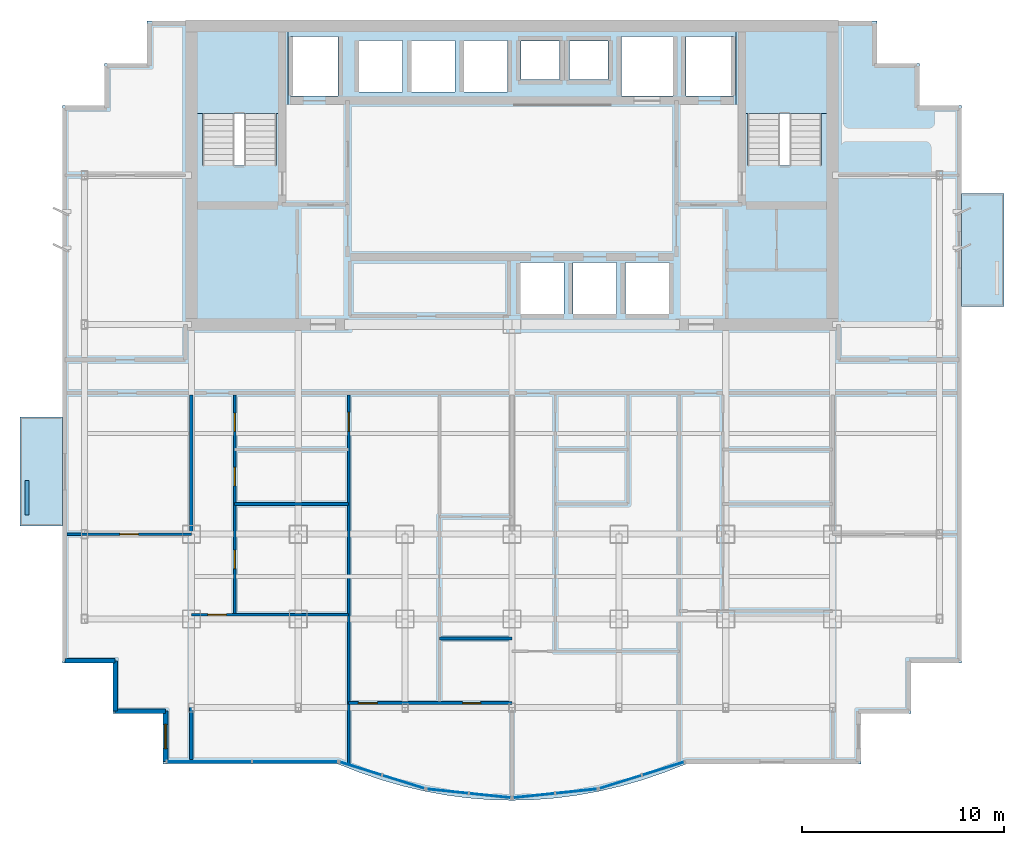
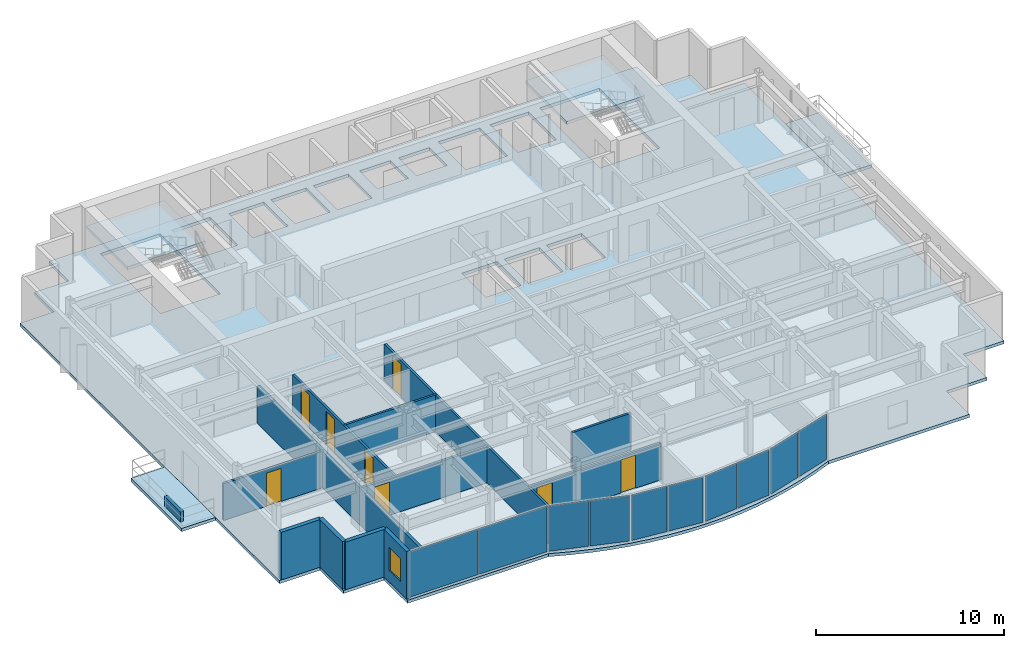
# One storey, part 5 of 11: 13 walls, 10 plates, 8 doors, 5 slabs, 1 window, 9 openings, 7 elements without a shape of their own.
"""IFC4 building model written with IfcOpenShell, lengths in metres."""

import ifcopenshell
import ifcopenshell.guid

model = None  # the IFC model being written
_history = None  # IfcOwnerHistory: only IFC2X3 demands one
_inside = {}  # id of a spatial element -> (the spatial element, [elements in it])
_under = {}  # id of a project, library or spatial element -> (it, [spatial elements below it])
_declared = {}  # id of a project -> (the project, [libraries it declares])
_typed = {}  # id of a type object -> (the type object, [elements of that type])
_made_of = {}  # id of a material, layer set ... -> (it, [elements and type objects made of it])


def new_model(schema):
    """Start an empty IFC model of exactly this schema.

    Asked for "IFC4X3", IfcOpenShell would pick the latest addendum, in which some entities
    have other attributes; the version numbers below select the first issue.
    IFC2X3 requires an IfcOwnerHistory on every rooted entity: one is made here for all.
    """
    global model, _history
    if schema == "IFC4X3":
        model = ifcopenshell.file(schema_version=(4, 3, 0, 0))
    else:
        model = ifcopenshell.file(schema=schema)
    _inside.clear()
    _under.clear()
    _declared.clear()
    _typed.clear()
    _made_of.clear()
    _history = None
    if model.schema == "IFC2X3":
        org = make("IfcOrganization", Name="unknown")
        user = make(
            "IfcPersonAndOrganization",
            ThePerson=make("IfcPerson", FamilyName="unknown"),
            TheOrganization=org,
        )
        app = make(
            "IfcApplication",
            ApplicationDeveloper=org,
            Version="unknown",
            ApplicationFullName="unknown",
            ApplicationIdentifier="unknown",
        )
        _history = make(
            "IfcOwnerHistory",
            OwningUser=user,
            OwningApplication=app,
            ChangeAction="ADDED",
            CreationDate=0,
        )
    return model


def make(cls, **values):
    """One entity of the class cls with the attributes given. An attribute that is None is left unset."""
    return model.create_entity(
        cls, **{name: value for name, value in values.items() if value is not None}
    )


def rooted(cls, **values):
    """An entity with a GlobalId (a new one), such as an element, a storey or a relation."""
    return make(cls, GlobalId=ifcopenshell.guid.new(), OwnerHistory=_history, **values)


def si_unit(unit_type, name, prefix=None):
    """IfcSIUnit, for example si_unit("LENGTHUNIT", "METRE", prefix="MILLI")."""
    return make("IfcSIUnit", UnitType=unit_type, Prefix=prefix, Name=name)


def assignment(units):
    """IfcUnitAssignment: the units of a project."""
    return None if units is None else make("IfcUnitAssignment", Units=units)


def point(xyz):
    """IfcCartesianPoint."""
    return None if xyz is None else make("IfcCartesianPoint", Coordinates=xyz)


def direction(xyz):
    """IfcDirection."""
    return None if xyz is None else make("IfcDirection", DirectionRatios=xyz)


def frame(location, z_axis=None, x_axis=None):
    """IfcAxis2Placement3D, a coordinate frame: its origin and axes. An axis left out is left unset."""
    return make(
        "IfcAxis2Placement3D",
        Location=point(location),
        Axis=direction(z_axis),
        RefDirection=direction(x_axis),
    )


def frame_2d(location, x_axis=None):
    """IfcAxis2Placement2D, a coordinate frame in the plane: its origin and x axis."""
    return make(
        "IfcAxis2Placement2D", Location=point(location), RefDirection=direction(x_axis)
    )


def origin():
    """The frame at (0, 0, 0) with its axes left unset."""
    return frame((0.0, 0.0, 0.0))


def origin_2d():
    """The frame at (0, 0) in the plane with its x axis left unset."""
    return frame_2d((0.0, 0.0))


def place(relative_to, where):
    """IfcLocalPlacement: puts the frame where relative to a parent placement (None: the world)."""
    return make(
        "IfcLocalPlacement", PlacementRelTo=relative_to, RelativePlacement=where
    )


def context(
    kind, dimensions, precision=None, world=None, true_north=None, identifier=None
):
    """IfcGeometricRepresentationContext, for example the 3D "Model" context."""
    return make(
        "IfcGeometricRepresentationContext",
        ContextIdentifier=identifier,
        ContextType=kind,
        CoordinateSpaceDimension=dimensions,
        Precision=precision,
        WorldCoordinateSystem=world,
        TrueNorth=true_north,
    )


def subcontext(parent, identifier, kind, view, scale=None):
    """IfcGeometricRepresentationSubContext, for example "Body" below "Model"."""
    return make(
        "IfcGeometricRepresentationSubContext",
        ContextIdentifier=identifier,
        ContextType=kind,
        ParentContext=parent,
        TargetScale=scale,
        TargetView=view,
    )


def project(units=None, contexts=None):
    """IfcProject with its units and contexts."""
    return rooted(
        "IfcProject",
        Name="project",
        RepresentationContexts=contexts,
        UnitsInContext=assignment(units),
    )


def spatial(cls, under=None, at=None, **own):
    """A site, building, storey or space (cls), placed at a placement, below another one or the project."""
    s = rooted(cls, ObjectPlacement=at, **own)
    if under is not None:
        _under.setdefault(under.id(), (under, []))[1].append(s)
    return s


def polyline(points):
    """IfcPolyline through the points."""
    return make("IfcPolyline", Points=[point(p) for p in points])


def profile(cls, at=None, kind="AREA", **sizes):
    """A parametric profile (cls). Its sizes go by their IFC names, for example OverallWidth=200.0."""
    return make(cls, ProfileType=kind, Position=at, **sizes)


def rectangle(**sizes):
    """IfcRectangleProfileDef."""
    return profile("IfcRectangleProfileDef", **sizes)


def outline(outer, holes=None, kind="AREA"):
    """IfcArbitraryClosedProfileDef: a profile drawn as a closed curve; with holes, ...WithVoids."""
    if holes is None:
        return make("IfcArbitraryClosedProfileDef", ProfileType=kind, OuterCurve=outer)
    return make(
        "IfcArbitraryProfileDefWithVoids",
        ProfileType=kind,
        OuterCurve=outer,
        InnerCurves=holes,
    )


def extrude(swept, where, along, depth):
    """IfcExtrudedAreaSolid: the profile swept, set in the frame where, extruded along a direction by depth."""
    return make(
        "IfcExtrudedAreaSolid",
        SweptArea=swept,
        Position=where,
        ExtrudedDirection=direction(along),
        Depth=depth,
    )


def shape(context_of_items, identifier, shape_type, items):
    """IfcShapeRepresentation: the items that make up one representation, for example the "Body"."""
    return make(
        "IfcShapeRepresentation",
        ContextOfItems=context_of_items,
        RepresentationIdentifier=identifier,
        RepresentationType=shape_type,
        Items=items,
    )


def source(mapping_origin, context_of_items, identifier, shape_type, items):
    """IfcRepresentationMap: a shape defined once, which mapped items show again and again."""
    return make(
        "IfcRepresentationMap",
        MappingOrigin=mapping_origin,
        MappedRepresentation=shape(context_of_items, identifier, shape_type, items),
    )


def transform(
    local_origin,
    x_axis=None,
    y_axis=None,
    z_axis=None,
    scale=None,
    scale2=None,
    scale3=None,
    uniform=True,
):
    """IfcCartesianTransformationOperator3D, or its non-uniform kind. x_axis, y_axis, z_axis: its Axis1, 2, 3."""
    if uniform:
        return make(
            "IfcCartesianTransformationOperator3D",
            Axis1=direction(x_axis),
            Axis2=direction(y_axis),
            LocalOrigin=point(local_origin),
            Scale=scale,
            Axis3=direction(z_axis),
        )
    return make(
        "IfcCartesianTransformationOperator3DnonUniform",
        Axis1=direction(x_axis),
        Axis2=direction(y_axis),
        LocalOrigin=point(local_origin),
        Scale=scale,
        Axis3=direction(z_axis),
        Scale2=scale2,
        Scale3=scale3,
    )


def mapped(mapping_source, mapping_target):
    """IfcMappedItem: shows the shape of a source again, moved by a transform."""
    return make(
        "IfcMappedItem", MappingSource=mapping_source, MappingTarget=mapping_target
    )


def material(Name=None, Category=None):
    """IfcMaterial."""
    return make("IfcMaterial", Name=Name, Category=Category)


def layer(
    of_material, thickness, ventilated=None, Name=None, Category=None, Priority=None
):
    """IfcMaterialLayer: one layer of a wall or slab, of a material (None: an air gap)."""
    return make(
        "IfcMaterialLayer",
        Material=of_material,
        LayerThickness=thickness,
        IsVentilated=ventilated,
        Name=Name,
        Category=Category,
        Priority=Priority,
    )


def layer_set(layers, Name=None):
    """IfcMaterialLayerSet."""
    return make("IfcMaterialLayerSet", MaterialLayers=layers, LayerSetName=Name)


def made_of(thing, what):
    """Note that an element or type object is made of a material, layer set ...; save() writes the relation."""
    if what is not None:
        _made_of.setdefault(what.id(), (what, []))[1].append(thing)
    return thing


def type_object(cls, material=None, **own):
    """A type object (cls), such as IfcWallType, which elements share."""
    return made_of(rooted(cls, **own), material)


def element(
    cls,
    number,
    at=None,
    inside=None,
    cuts=None,
    type_object=None,
    material=None,
    context=None,
    identifier="Body",
    shape_type=None,
    held_by="IfcProductDefinitionShape",
    body=None,
    shapes=None,
    **own,
):
    """One element of the class cls, such as IfcWall. Its Tag is "e" and its number.

    at: its placement. inside: the storey or other place that contains it. cuts: it is an
    opening in that element (IfcRelVoidsElement). A single representation is given by context,
    identifier, shape_type and body (its items); several are given by shapes. held_by: the class
    of the entity that holds the representations. save() writes the other relations.
    """
    e = rooted(cls, Tag="e%d" % number, ObjectPlacement=at, **own)
    if body is not None:
        shapes = [shape(context, identifier, shape_type, body)]
    if shapes is not None:
        e.Representation = make(held_by, Representations=shapes)
    if inside is not None:
        _inside.setdefault(inside.id(), (inside, []))[1].append(e)
    if cuts is not None:
        rooted(
            "IfcRelVoidsElement", RelatingBuildingElement=cuts, RelatedOpeningElement=e
        )
    if type_object is not None:
        _typed.setdefault(type_object.id(), (type_object, []))[1].append(e)
    return made_of(e, material)


def fill(opening, filler):
    """IfcRelFillsElement: the door or window that sits in an opening."""
    return rooted(
        "IfcRelFillsElement",
        RelatingOpeningElement=opening,
        RelatedBuildingElement=filler,
    )


def aggregate(whole, parts):
    """IfcRelAggregates: a whole, such as a stair, and the parts it consists of."""
    return rooted("IfcRelAggregates", RelatingObject=whole, RelatedObjects=parts)


def save(model, path):
    """Write the relations noted so far, then the file.

    IfcRelAggregates (storeys below a building ...), IfcRelContainedInSpatialStructure (elements
    in a storey), IfcRelDefinesByType, IfcRelAssociatesMaterial and IfcRelDeclares: one each for
    every whole, place, type object, material and project.
    """
    for whole, parts in _under.values():
        aggregate(whole, parts)
    for where, things in _inside.values():
        rooted(
            "IfcRelContainedInSpatialStructure",
            RelatedElements=things,
            RelatingStructure=where,
        )
    for kind, things in _typed.values():
        rooted("IfcRelDefinesByType", RelatedObjects=things, RelatingType=kind)
    for what, things in _made_of.values():
        rooted("IfcRelAssociatesMaterial", RelatedObjects=things, RelatingMaterial=what)
    for by, libraries in _declared.values():
        rooted("IfcRelDeclares", RelatingContext=by, RelatedDefinitions=libraries)
    model.write(path)


model = new_model("IFC4")

# Units and contexts
model_context = context("Model", 3, precision=1e-05, world=origin(), true_north=direction((0.0, 1.0)))
body_context = subcontext(model_context, "Body", "Model", "MODEL_VIEW")
ifc_project = project(units=[si_unit("LENGTHUNIT", "METRE"), si_unit("AREAUNIT", "SQUARE_METRE"), si_unit("VOLUMEUNIT", "CUBIC_METRE"), si_unit("PLANEANGLEUNIT", "RADIAN"), si_unit("MASSUNIT", "GRAM", prefix="KILO")], contexts=[model_context])

# Site, building, storey
site_placement = place(None, origin())
site = spatial("IfcSite", under=ifc_project, at=site_placement, CompositionType="ELEMENT")
building_placement = place(site_placement, origin())
building = spatial("IfcBuilding", under=site, at=building_placement, Name="Qianlan Lanfeng Residences", CompositionType="ELEMENT")
storey_placement = place(building_placement, frame((0.0, 0.0, 152.39990234375)))
storey = spatial("IfcBuildingStorey", under=building, at=storey_placement, Name="L41", CompositionType="ELEMENT", Elevation=152.39990234375)

# Slabs
ifc_material_1 = material(Name="Concrete C42", Category="concrete")
ifc_layer_1 = layer(ifc_material_1, 0.199951171875)
ifc_layer_set_1 = layer_set([ifc_layer_1], Name="Concrete C42")
slab_type_1 = type_object("IfcSlabType", Name="S-BAL-200", PredefinedType="FLOOR", material=ifc_layer_set_1)
slab_1_placement = place(storey_placement, frame((0.0, 0.0, -0.199951171875)))
element("IfcSlab", 1, at=slab_1_placement, inside=storey, type_object=slab_type_1, Name="L41 Planted Tree Balcony Slab WB-S", PredefinedType="FLOOR", context=body_context, shape_type="SweptSolid", body=[
    extrude(outline(polyline([(4.199951171875, 15.199951171875), (4.199951171875, 20.60009765625), (2.10009765625, 20.60009765625), (2.10009765625, 15.199951171875), (4.199951171875, 15.199951171875)])), origin(), (0.0, 0.0, 1.0), 0.199951171875),
])
slab_2_placement = place(storey_placement, frame((0.0, 0.0, -0.199951171875)))
element("IfcSlab", 2, at=slab_2_placement, inside=storey, type_object=slab_type_1, Name="L41 Planted Tree Balcony Slab EB-N", PredefinedType="FLOOR", context=body_context, shape_type="SweptSolid", body=[
    extrude(outline(polyline([(48.800048828125, 31.699951171875), (48.800048828125, 26.10009765625), (50.89990234375, 26.10009765625), (50.89990234375, 31.699951171875), (48.800048828125, 31.699951171875)])), origin(), (0.0, 0.0, 1.0), 0.199951171875),
])
ifc_layer_2 = layer(ifc_material_1, 0.199951171875)
ifc_layer_set_2 = layer_set([ifc_layer_2], Name="Concrete C42")
slab_type_2 = type_object("IfcSlabType", Name="S-FL-200", PredefinedType="FLOOR", material=ifc_layer_set_2)
slab_3_placement = place(storey_placement, frame((0.0, 0.0, -0.199951171875)))
element("IfcSlab", 3, at=slab_3_placement, inside=storey, type_object=slab_type_2, Name="L41 Structural Floor Slab", PredefinedType="FLOOR", context=body_context, shape_type="SweptSolid", body=[
    extrude(outline(polyline([(4.199951171875, 8.39990234375), (6.699951171875, 8.39990234375), (6.699951171875, 5.89990234375), (9.199951171875, 5.89990234375), (9.199951171875, 3.39990234375), (17.8798828125, 3.39990234375), (18.95703125, 2.97802734375), (20.034912109375, 2.612060546875), (21.112060546875, 2.302978515625), (22.18994140625, 2.050048828125), (23.26708984375, 1.85302734375), (24.344970703125, 1.712890625), (25.422119140625, 1.6279296875), (26.5, 1.60009765625), (27.577880859375, 1.6279296875), (28.655029296875, 1.7119140625), (29.73193359375, 1.85302734375), (30.81005859375, 2.050048828125), (31.886962890625, 2.302978515625), (32.965087890625, 2.612060546875), (34.0419921875, 2.97802734375), (35.1201171875, 3.39990234375), (43.800048828125, 3.39990234375), (43.800048828125, 5.89990234375), (46.300048828125, 5.89990234375), (46.300048828125, 8.39990234375), (48.800048828125, 8.39990234375), (48.800048828125, 36.050048828125), (46.699951171875, 36.050048828125), (46.699951171875, 38.14990234375), (44.60009765625, 38.14990234375), (44.60009765625, 40.25), (8.39990234375, 40.25), (8.39990234375, 38.14990234375), (6.300048828125, 38.14990234375), (6.300048828125, 36.050048828125), (4.199951171875, 36.050048828125), (4.199951171875, 8.39990234375)]), holes=[polyline([(11.139892578125, 33.080078125), (11.139892578125, 39.5), (14.820068359375, 39.5), (14.820068359375, 33.080078125), (11.139892578125, 33.080078125)]), polyline([(38.179931640625, 33.080078125), (38.179931640625, 39.5), (41.860107421875, 39.5), (41.860107421875, 33.080078125), (38.179931640625, 33.080078125)]), polyline([(15.52001953125, 36.52001953125), (15.52001953125, 39.47998046875), (17.8798828125, 39.47998046875), (17.8798828125, 36.52001953125), (15.52001953125, 36.52001953125)]), polyline([(35.1201171875, 36.52001953125), (35.1201171875, 39.47998046875), (37.47998046875, 39.47998046875), (37.47998046875, 36.52001953125), (35.1201171875, 36.52001953125)]), polyline([(31.919921875, 36.52001953125), (31.919921875, 39.47998046875), (34.47998046875, 39.47998046875), (34.47998046875, 36.52001953125), (31.919921875, 36.52001953125)]), polyline([(26.919921875, 25.719970703125), (26.919921875, 28.280029296875), (29.080078125, 28.280029296875), (29.080078125, 25.719970703125), (26.919921875, 25.719970703125)]), polyline([(29.52001953125, 25.719970703125), (29.52001953125, 28.280029296875), (31.679931640625, 28.280029296875), (31.679931640625, 25.719970703125), (29.52001953125, 25.719970703125)]), polyline([(32.1201171875, 25.719970703125), (32.1201171875, 28.280029296875), (34.280029296875, 28.280029296875), (34.280029296875, 25.719970703125), (32.1201171875, 25.719970703125)]), polyline([(18.919921875, 36.719970703125), (18.919921875, 39.280029296875), (21.080078125, 39.280029296875), (21.080078125, 36.719970703125), (18.919921875, 36.719970703125)]), polyline([(21.52001953125, 36.719970703125), (21.52001953125, 39.280029296875), (23.679931640625, 39.280029296875), (23.679931640625, 36.719970703125), (21.52001953125, 36.719970703125)]), polyline([(24.1201171875, 36.719970703125), (24.1201171875, 39.280029296875), (26.280029296875, 39.280029296875), (26.280029296875, 36.719970703125), (24.1201171875, 36.719970703125)]), polyline([(26.949951171875, 37.35009765625), (26.949951171875, 39.25), (28.85009765625, 39.25), (28.85009765625, 37.35009765625), (26.949951171875, 37.35009765625)]), polyline([(29.35009765625, 37.35009765625), (29.35009765625, 39.25), (31.25, 39.25), (31.25, 37.35009765625), (29.35009765625, 37.35009765625)])]), origin(), (0.0, 0.0, 1.0), 0.199951171875),
])

# Stair, slab
stair_type = type_object("IfcStairType", Name="STR-MAIN", PredefinedType="HALF_TURN_STAIR", material=ifc_material_1)
stair_1_placement = place(storey_placement, origin())
stair_1 = element("IfcStair", 4, at=stair_1_placement, inside=storey, type_object=stair_type, Name="L41 Exit Stair ST-1", PredefinedType="HALF_TURN_STAIR")
ifc_layer_3 = layer(ifc_material_1, 0.179931640625)
ifc_layer_set_3 = layer_set([ifc_layer_3], Name="Concrete C42")
slab_type_3 = type_object("IfcSlabType", Name="S-LND-180", PredefinedType="LANDING", material=ifc_layer_set_3)
slab_4_placement = place(storey_placement, frame((0.0, 0.0, 1.4501953125)))
slab_4 = element("IfcSlab", 5, at=slab_4_placement, type_object=slab_type_3, Name="ST-1 landing 1", PredefinedType="LANDING", context=body_context, shape_type="SweptSolid", body=[
    extrude(outline(polyline([(10.580078125, 35.659912109375), (15.3798828125, 35.659912109375), (15.3798828125, 40.050048828125), (10.580078125, 40.050048828125), (10.580078125, 35.659912109375)])), origin(), (0.0, 0.0, 1.0), 0.199951171875),
])
aggregate(stair_1, [slab_4])

stair_2_placement = place(storey_placement, origin())
stair_2 = element("IfcStair", 6, at=stair_2_placement, inside=storey, type_object=stair_type, Name="L41 Exit Stair ST-2", PredefinedType="HALF_TURN_STAIR")
slab_5_placement = place(storey_placement, frame((0.0, 0.0, 1.4501953125)))
slab_5 = element("IfcSlab", 7, at=slab_5_placement, type_object=slab_type_3, Name="ST-2 landing 1", PredefinedType="LANDING", context=body_context, shape_type="SweptSolid", body=[
    extrude(outline(polyline([(37.6201171875, 35.659912109375), (42.419921875, 35.659912109375), (42.419921875, 40.050048828125), (37.6201171875, 40.050048828125), (37.6201171875, 35.659912109375)])), origin(), (0.0, 0.0, 1.0), 0.199951171875),
])
aggregate(stair_2, [slab_5])

# Curtain wall, plates
ifc_material_2 = material(Name="Anodised Bronze Aluminium 6063-T6", Category="aluminium")
ifc_layer_4 = layer(ifc_material_2, 0.219970703125)
ifc_layer_set_4 = layer_set([ifc_layer_4], Name="Anodised Bronze Aluminium 6063-T6")
curtain_wall_type = type_object("IfcCurtainWallType", Name="CW-04", PredefinedType="NOTDEFINED", material=ifc_layer_set_4)
curtain_wall_1_placement = place(storey_placement, origin())
curtain_wall_1 = element("IfcCurtainWall", 8, at=curtain_wall_1_placement, inside=storey, type_object=curtain_wall_type, Name="L41 Unitised Curtain Wall CWR-L41-01 (CW-04)", PredefinedType="NOTDEFINED")
ifc_material_3 = material(Name="Dark Bronze Tinted Insulated Glass", Category="glass")
ifc_layer_5 = layer(ifc_material_3, 0.0380859375)
ifc_layer_set_5 = layer_set([ifc_layer_5], Name="Dark Bronze Tinted Insulated Glass")
plate_type_1 = type_object("IfcPlateType", Name="PNL-GLZ-BRZ", PredefinedType="CURTAIN_PANEL", material=ifc_layer_set_5)
shared_shape_1 = source(origin(), body_context, "Body", "SweptSolid", [
    extrude(rectangle(XDim=4.180908203125, YDim=0.0380859375, at=origin_2d()), origin(), (0.0, 0.0, 1.0), 2.951904296875),
])
plate_1_placement = place(storey_placement, frame((11.484619140625, 3.52001953125, 0.07421875), z_axis=(0.0, 0.0, 1.0), x_axis=(1.0, 0.0, 0.0)))
plate_1 = element("IfcPlate", 9, at=plate_1_placement, type_object=plate_type_1, Name="CWR-L41-01 Curtain Panel 1", PredefinedType="CURTAIN_PANEL", context=body_context, shape_type="MappedRepresentation", body=[
    mapped(shared_shape_1, transform((0.0, 0.0, 0.0), scale=1.0)),
])
plate_2_placement = place(storey_placement, frame((15.738525390625, 3.52001953125, 0.07421875), z_axis=(0.0, 0.0, 1.0), x_axis=(1.0, 0.0, 0.0)))
plate_2 = element("IfcPlate", 10, at=plate_2_placement, type_object=plate_type_1, Name="CWR-L41-01 Curtain Panel 2", PredefinedType="CURTAIN_PANEL", context=body_context, shape_type="MappedRepresentation", body=[
    mapped(shared_shape_1, transform((0.0, 0.0, 0.0), scale=1.0)),
])
aggregate(curtain_wall_1, [plate_1, plate_2])

# Curtain wall, plate
curtain_wall_2_placement = place(storey_placement, origin())
curtain_wall_2 = element("IfcCurtainWall", 11, at=curtain_wall_2_placement, inside=storey, type_object=curtain_wall_type, Name="L41 Unitised Curtain Wall CWR-L41-02 (CW-04)", PredefinedType="NOTDEFINED")
ifc_material_4 = material(Name="Perforated Anodised Bronze Aluminium Panel", Category="aluminium")
ifc_layer_6 = layer(ifc_material_4, 0.0419921875)
ifc_layer_set_6 = layer_set([ifc_layer_6], Name="Perforated Anodised Bronze Aluminium Panel")
plate_type_2 = type_object("IfcPlateType", Name="PNL-PRF-BRZ", PredefinedType="CURTAIN_PANEL", material=ifc_layer_set_6)
shared_shape_2 = source(origin(), body_context, "Body", "SweptSolid", [
    extrude(rectangle(XDim=2.14892578125, YDim=0.0419921875, at=origin_2d()), origin(), (0.0, 0.0, 1.0), 2.951904296875),
])
plate_3_placement = place(storey_placement, frame((21.119140625, 2.51171875, 0.07421875), z_axis=(0.0, 0.0, 1.0), x_axis=(0.954195954421, -0.299182353367, 0.0)))
plate_3 = element("IfcPlate", 12, at=plate_3_placement, type_object=plate_type_2, Name="CWR-L41-02 Curtain Panel 2", PredefinedType="CURTAIN_PANEL", context=body_context, shape_type="MappedRepresentation", body=[
    mapped(shared_shape_2, transform((0.0, 0.0, 0.0), scale=1.0)),
])

# Curtain wall, plates
curtain_wall_3_placement = place(storey_placement, origin())
curtain_wall_3 = element("IfcCurtainWall", 13, at=curtain_wall_3_placement, inside=storey, type_object=curtain_wall_type, Name="L41 Unitised Curtain Wall CWR-L41-03 (CW-04)", PredefinedType="NOTDEFINED")
shared_shape_3 = source(origin(), body_context, "Body", "SweptSolid", [
    extrude(rectangle(XDim=2.043701171875, YDim=0.0380859375, at=origin_2d()), origin(), (0.0, 0.0, 1.0), 2.951904296875),
])
plate_4_placement = place(storey_placement, frame((23.304931640625, 2.053955078125, 0.07421875), z_axis=(0.0, 0.0, 1.0), x_axis=(0.994579031105, -0.103983416397, 0.0)))
plate_4 = element("IfcPlate", 14, at=plate_4_placement, type_object=plate_type_1, Name="CWR-L41-03 Curtain Panel 1", PredefinedType="CURTAIN_PANEL", context=body_context, shape_type="MappedRepresentation", body=[
    mapped(shared_shape_3, transform((0.0, 0.0, 0.0), scale=1.0)),
])
plate_5_placement = place(storey_placement, frame((25.41015625, 1.833984375, 0.07421875), z_axis=(0.0, 0.0, 1.0), x_axis=(0.994579031105, -0.103983416397, 0.0)))
plate_5 = element("IfcPlate", 15, at=plate_5_placement, type_object=plate_type_1, Name="CWR-L41-03 Curtain Panel 2", PredefinedType="CURTAIN_PANEL", context=body_context, shape_type="MappedRepresentation", body=[
    mapped(shared_shape_3, transform((0.0, 0.0, 0.0), scale=1.0)),
])
aggregate(curtain_wall_3, [plate_4, plate_5])

# Curtain wall, plate
curtain_wall_4_placement = place(storey_placement, origin())
curtain_wall_4 = element("IfcCurtainWall", 16, at=curtain_wall_4_placement, inside=storey, type_object=curtain_wall_type, Name="L41 Unitised Curtain Wall CWR-L41-04 (CW-04)", PredefinedType="NOTDEFINED")
plate_6_placement = place(storey_placement, frame((27.58984375, 1.833984375, 0.07421875), z_axis=(0.0, 0.0, 1.0), x_axis=(0.994579031105, 0.103983416397, 0.0)))
plate_6 = element("IfcPlate", 17, at=plate_6_placement, type_object=plate_type_1, Name="CWR-L41-04 Curtain Panel 1", PredefinedType="CURTAIN_PANEL", context=body_context, shape_type="MappedRepresentation", body=[
    mapped(shared_shape_3, transform((0.0, 0.0, 0.0), scale=1.0)),
])

# Plate
shared_shape_4 = source(origin(), body_context, "Body", "SweptSolid", [
    extrude(rectangle(XDim=2.14892578125, YDim=0.0380859375, at=origin_2d()), origin(), (0.0, 0.0, 1.0), 2.951904296875),
])
plate_7_placement = place(storey_placement, frame((18.998779296875, 3.176513671875, 0.07421875), z_axis=(0.0, 0.0, 1.0), x_axis=(0.954195954421, -0.299182353367, 0.0)))
plate_7 = element("IfcPlate", 18, at=plate_7_placement, type_object=plate_type_1, Name="CWR-L41-02 Curtain Panel 1", PredefinedType="CURTAIN_PANEL", context=body_context, shape_type="MappedRepresentation", body=[
    mapped(shared_shape_4, transform((0.0, 0.0, 0.0), scale=1.0)),
])

aggregate(curtain_wall_2, [plate_7, plate_3])

# Curtain wall, plates
curtain_wall_5_placement = place(storey_placement, origin())
curtain_wall_5 = element("IfcCurtainWall", 19, at=curtain_wall_5_placement, inside=storey, type_object=curtain_wall_type, Name="L41 Unitised Curtain Wall CWR-L41-05 (CW-04)", PredefinedType="NOTDEFINED")
plate_8_placement = place(storey_placement, frame((31.880859375, 2.51171875, 0.07421875), z_axis=(0.0, 0.0, 1.0), x_axis=(0.954195954421, 0.299182353367, 0.0)))
plate_8 = element("IfcPlate", 20, at=plate_8_placement, type_object=plate_type_1, Name="CWR-L41-05 Curtain Panel 1", PredefinedType="CURTAIN_PANEL", context=body_context, shape_type="MappedRepresentation", body=[
    mapped(shared_shape_4, transform((0.0, 0.0, 0.0), scale=1.0)),
])
plate_9_placement = place(storey_placement, frame((34.001220703125, 3.176513671875, 0.07421875), z_axis=(0.0, 0.0, 1.0), x_axis=(0.954195954421, 0.299182353367, 0.0)))
plate_9 = element("IfcPlate", 21, at=plate_9_placement, type_object=plate_type_1, Name="CWR-L41-05 Curtain Panel 2", PredefinedType="CURTAIN_PANEL", context=body_context, shape_type="MappedRepresentation", body=[
    mapped(shared_shape_4, transform((0.0, 0.0, 0.0), scale=1.0)),
])
aggregate(curtain_wall_5, [plate_8, plate_9])

# Plate
shared_shape_5 = source(origin(), body_context, "Body", "SweptSolid", [
    extrude(rectangle(XDim=2.043701171875, YDim=0.0419921875, at=origin_2d()), origin(), (0.0, 0.0, 1.0), 2.951904296875),
])
plate_10_placement = place(storey_placement, frame((29.695068359375, 2.05419921875, 0.07421875), z_axis=(0.0, 0.0, 1.0), x_axis=(0.994579031105, 0.103983416397, 0.0)))
plate_10 = element("IfcPlate", 22, at=plate_10_placement, type_object=plate_type_2, Name="CWR-L41-04 Curtain Panel 2", PredefinedType="CURTAIN_PANEL", context=body_context, shape_type="MappedRepresentation", body=[
    mapped(shared_shape_5, transform((0.0, 0.0, 0.0), scale=1.0)),
])

aggregate(curtain_wall_4, [plate_6, plate_10])

# Walls
ifc_layer_7 = layer(ifc_material_1, 0.239990234375)
ifc_layer_set_7 = layer_set([ifc_layer_7], Name="Concrete C42")
wall_type_1 = type_object("IfcWallType", Name="EW-240", PredefinedType="SOLIDWALL", material=ifc_layer_set_7)
for number, where, z_axis, x_axis, name in (
    (23, (4.320068359375, 8.52001953125, 0.0), (0.0, 0.0, 1.0), (1.0, 0.0, 0.0), "L41 Exterior Facade Spandrel Wall 1"),
    (24, (6.820068359375, 8.52001953125, 0.0), (0.0, 0.0, 1.0), (0.0, -1.0, 0.0), "L41 Exterior Facade Spandrel Wall 2"),
    (25, (6.820068359375, 6.02001953125, 0.0), (0.0, 0.0, 1.0), (1.0, 0.0, 0.0), "L41 Exterior Facade Spandrel Wall 3"),
):
    element("IfcWall", number, at=place(storey_placement, frame(where, z_axis=z_axis, x_axis=x_axis)), inside=storey, type_object=wall_type_1, Name=name, PredefinedType="SOLIDWALL", context=body_context, shape_type="SweptSolid", body=[
        extrude(rectangle(XDim=2.5, YDim=0.239990234375, at=frame_2d((1.25, 0.0))), origin(), (0.0, 0.0, 1.0), 3.10009765625),
    ])

# Wall, opening, window
wall_1_placement = place(storey_placement, frame((9.320068359375, 6.02001953125, 0.0), z_axis=(0.0, 0.0, 1.0), x_axis=(0.0, -1.0, 0.0)))
wall_1 = element("IfcWall", 26, at=wall_1_placement, inside=storey, type_object=wall_type_1, Name="L41 Exterior Facade Spandrel Wall 4", PredefinedType="SOLIDWALL", context=body_context, shape_type="SweptSolid", body=[
    extrude(rectangle(XDim=2.5, YDim=0.239990234375, at=frame_2d((1.25, 0.0))), origin(), (0.0, 0.0, 1.0), 3.10009765625),
])
opening_1_placement = place(wall_1_placement, frame((0.64990234375, 0.0, 0.75)))
opening_1 = element("IfcOpeningElement", 27, at=opening_1_placement, cuts=wall_1, Name="Opening W-03", PredefinedType="OPENING", context=body_context, shape_type="SweptSolid", body=[
    extrude(rectangle(XDim=1.199951171875, YDim=1.5, at=frame_2d((0.60009765625, 0.75))), frame((0.0, 0.1298828125, 0.0), z_axis=(0.0, -1.0, 0.0), x_axis=(1.0, 0.0, 0.0)), (0.0, 0.0, 1.0), 0.260009765625),
])
ifc_material_5 = material(Name="Anodised Bronze Aluminium Framed Double Glazing", Category="aluminium")
window_type = type_object("IfcWindowType", Name="W-03", PartitioningType="SINGLE_PANEL", PredefinedType="WINDOW", material=ifc_material_5)
window_placement = place(opening_1_placement, origin())
window = element("IfcWindow", 28, at=window_placement, inside=storey, type_object=window_type, Name="L41 Facade Punched Window W-03", OverallHeight=1.5, OverallWidth=1.199951171875, PartitioningType="SINGLE_PANEL", PredefinedType="WINDOW", context=body_context, shape_type="SweptSolid", body=[
    extrude(rectangle(XDim=1.199951171875, YDim=1.5, at=frame_2d((0.60009765625, 0.75))), frame((0.0, 0.030029296875, 0.0), z_axis=(0.0, -1.0, 0.0), x_axis=(1.0, 0.0, 0.0)), (0.0, 0.0, 1.0), 0.06005859375),
])
fill(opening_1, window)

# Wall
ifc_layer_8 = layer(ifc_material_1, 0.199951171875)
ifc_layer_set_8 = layer_set([ifc_layer_8], Name="Concrete C42")
wall_type_2 = type_object("IfcWallType", Name="PL-TREE-200", PredefinedType="PARAPET", material=ifc_layer_set_8)
wall_2_placement = place(storey_placement, frame((2.449951171875, 15.75, 0.0), z_axis=(0.0, 0.0, 1.0), x_axis=(0.0, 1.0, 0.0)))
element("IfcWall", 29, at=wall_2_placement, inside=storey, type_object=wall_type_2, Name="L41 West Tree Planter Curb WB-S", PredefinedType="PARAPET", context=body_context, shape_type="SweptSolid", body=[
    extrude(rectangle(XDim=1.699951171875, YDim=0.199951171875, at=frame_2d((0.85009765625, 0.0))), origin(), (0.0, 0.0, 1.0), 0.650146484375),
])

# Wall, opening, door
ifc_material_6 = material(Name="Moisture-Resistant Gypsum Partition 135 mm")
ifc_layer_9 = layer(ifc_material_6, 0.135009765625)
ifc_layer_set_9 = layer_set([ifc_layer_9], Name="Moisture-Resistant Gypsum Partition 135 mm")
wall_type_3 = type_object("IfcWallType", Name="PW-135", PredefinedType="PARTITIONING", material=ifc_layer_set_9)
wall_3_placement = place(storey_placement, frame((18.39990234375, 3.43310546875, 0.0), z_axis=(0.0, 0.0, 1.0), x_axis=(0.0, 1.0, 0.0)))
wall_3 = element("IfcWall", 30, at=wall_3_placement, inside=storey, type_object=wall_type_3, Name="L41 U01 Bay Spine Wall 1", PredefinedType="PARTITIONING", context=body_context, shape_type="SweptSolid", body=[
    extrude(rectangle(XDim=18.266845703125, YDim=0.135009765625, at=frame_2d((9.13330078125, 0.0))), origin(), (0.0, 0.0, 1.0), 2.380126953125),
])
opening_2_placement = place(wall_3_placement, frame((16.48193359375, 0.0, 0.0)))
opening_2 = element("IfcOpeningElement", 31, at=opening_2_placement, cuts=wall_3, Name="Opening L41-D17", PredefinedType="OPENING", context=body_context, shape_type="SweptSolid", body=[
    extrude(rectangle(XDim=0.919921875, YDim=2.14990234375, at=frame_2d((0.4599609375, 1.074951171875))), frame((0.0, 0.07763671875, 0.0), z_axis=(0.0, -1.0, 0.0), x_axis=(1.0, 0.0, 0.0)), (0.0, 0.0, 1.0), 0.155029296875),
])
ifc_material_7 = material(Name="Glazed Timber Kitchen/Study Door", Category="wood")
door_type_1 = type_object("IfcDoorType", Name="DT-INT", OperationType="NOTDEFINED", PredefinedType="DOOR", material=ifc_material_7)
door_1_placement = place(opening_2_placement, origin())
door_1 = element("IfcDoor", 32, at=door_1_placement, inside=storey, type_object=door_type_1, Name="L41 U01 Internal Hall Door L41-D17 (DT-INT)", OperationType="SINGLE_SWING_RIGHT", OverallHeight=2.14990234375, OverallWidth=0.919921875, PredefinedType="DOOR", context=body_context, shape_type="SweptSolid", body=[
    extrude(rectangle(XDim=0.919921875, YDim=2.14990234375, at=frame_2d((0.4599609375, 1.074951171875))), frame((0.0, 0.02490234375, 0.0), z_axis=(0.0, -1.0, 0.0), x_axis=(1.0, 0.0, 0.0)), (0.0, 0.0, 1.0), 0.050048828125),
])
fill(opening_2, door_1)

wall_4_placement = place(storey_placement, frame((10.60009765625, 10.799072265625, 0.0), z_axis=(0.0, 0.0, 1.0), x_axis=(1.0, 0.0, 0.0)))
wall_4 = element("IfcWall", 33, at=wall_4_placement, inside=storey, type_object=wall_type_3, Name="L41 U01 Living Divider", PredefinedType="PARTITIONING", context=body_context, shape_type="SweptSolid", body=[
    extrude(rectangle(XDim=7.7998046875, YDim=0.135009765625, at=frame_2d((3.89990234375, 0.0))), origin(), (0.0, 0.0, 1.0), 2.380126953125),
])
opening_3_placement = place(wall_4_placement, frame((0.81494140625, 0.0, 0.0)))
opening_3 = element("IfcOpeningElement", 34, at=opening_3_placement, cuts=wall_4, Name="Opening L41-D18", PredefinedType="OPENING", context=body_context, shape_type="SweptSolid", body=[
    extrude(rectangle(XDim=0.919921875, YDim=2.14990234375, at=frame_2d((0.4599609375, 1.074951171875))), frame((0.0, 0.07763671875, 0.0), z_axis=(0.0, -1.0, 0.0), x_axis=(1.0, 0.0, 0.0)), (0.0, 0.0, 1.0), 0.155029296875),
])
door_2_placement = place(opening_3_placement, origin())
door_2 = element("IfcDoor", 35, at=door_2_placement, inside=storey, type_object=door_type_1, Name="L41 U01 Living Passage Door L41-D18 (DT-INT)", OperationType="SINGLE_SWING_LEFT", OverallHeight=2.14990234375, OverallWidth=0.919921875, PredefinedType="DOOR", context=body_context, shape_type="SweptSolid", body=[
    extrude(rectangle(XDim=0.919921875, YDim=2.14990234375, at=frame_2d((0.4599609375, 1.074951171875))), frame((0.0, 0.02490234375, 0.0), z_axis=(0.0, -1.0, 0.0), x_axis=(1.0, 0.0, 0.0)), (0.0, 0.0, 1.0), 0.050048828125),
])
fill(opening_3, door_2)

# Wall, openings, doors
wall_5_placement = place(storey_placement, frame((12.75, 10.799072265625, 0.0), z_axis=(0.0, 0.0, 1.0), x_axis=(0.0, 1.0, 0.0)))
wall_5 = element("IfcWall", 36, at=wall_5_placement, inside=storey, type_object=wall_type_3, Name="L41 U01 Entry Hall Spine", PredefinedType="PARTITIONING", context=body_context, shape_type="SweptSolid", body=[
    extrude(rectangle(XDim=10.90087890625, YDim=0.135009765625, at=frame_2d((5.450439453125, 0.0))), origin(), (0.0, 0.0, 1.0), 2.380126953125),
])
opening_4_placement = place(wall_5_placement, frame((2.291015625, 0.0, 0.0)))
opening_4 = element("IfcOpeningElement", 37, at=opening_4_placement, cuts=wall_5, Name="Opening L41-D19", PredefinedType="OPENING", context=body_context, shape_type="SweptSolid", body=[
    extrude(rectangle(XDim=0.919921875, YDim=2.14990234375, at=frame_2d((0.4599609375, 1.074951171875))), frame((0.0, 0.07763671875, 0.0), z_axis=(0.0, -1.0, 0.0), x_axis=(1.0, 0.0, 0.0)), (0.0, 0.0, 1.0), 0.155029296875),
])
opening_5_placement = place(wall_5_placement, frame((6.39111328125, 0.0, 0.0)))
opening_5 = element("IfcOpeningElement", 38, at=opening_5_placement, cuts=wall_5, Name="Opening L41-D20", PredefinedType="OPENING", context=body_context, shape_type="SweptSolid", body=[
    extrude(rectangle(XDim=0.919921875, YDim=2.14990234375, at=frame_2d((0.4599609375, 1.074951171875))), frame((0.0, 0.07763671875, 0.0), z_axis=(0.0, -1.0, 0.0), x_axis=(1.0, 0.0, 0.0)), (0.0, 0.0, 1.0), 0.155029296875),
])
opening_6_placement = place(wall_5_placement, frame((9.10107421875, 0.0, 0.0)))
opening_6 = element("IfcOpeningElement", 39, at=opening_6_placement, cuts=wall_5, Name="Opening L41-D21", PredefinedType="OPENING", context=body_context, shape_type="SweptSolid", body=[
    extrude(rectangle(XDim=0.89990234375, YDim=2.14990234375, at=frame_2d((0.449951171875, 1.074951171875))), frame((0.0, 0.07763671875, 0.0), z_axis=(0.0, -1.0, 0.0), x_axis=(1.0, 0.0, 0.0)), (0.0, 0.0, 1.0), 0.155029296875),
])
door_3_placement = place(opening_4_placement, origin())
door_3 = element("IfcDoor", 40, at=door_3_placement, inside=storey, type_object=door_type_1, Name="L41 U01 Study Door L41-D19 (DT-INT)", OperationType="SINGLE_SWING_RIGHT", OverallHeight=2.14990234375, OverallWidth=0.919921875, PredefinedType="DOOR", context=body_context, shape_type="SweptSolid", body=[
    extrude(rectangle(XDim=0.919921875, YDim=2.14990234375, at=frame_2d((0.4599609375, 1.074951171875))), frame((0.0, 0.02490234375, 0.0), z_axis=(0.0, -1.0, 0.0), x_axis=(1.0, 0.0, 0.0)), (0.0, 0.0, 1.0), 0.050048828125),
])
fill(opening_4, door_3)
door_4_placement = place(opening_5_placement, origin())
door_4 = element("IfcDoor", 41, at=door_4_placement, inside=storey, type_object=door_type_1, Name="L41 U01 Kitchen Door L41-D20 (DT-INT)", OperationType="SINGLE_SWING_LEFT", OverallHeight=2.14990234375, OverallWidth=0.919921875, PredefinedType="DOOR", context=body_context, shape_type="SweptSolid", body=[
    extrude(rectangle(XDim=0.919921875, YDim=2.14990234375, at=frame_2d((0.4599609375, 1.074951171875))), frame((0.0, 0.02490234375, 0.0), z_axis=(0.0, -1.0, 0.0), x_axis=(1.0, 0.0, 0.0)), (0.0, 0.0, 1.0), 0.050048828125),
])
fill(opening_5, door_4)
ifc_material_8 = material(Name="Moisture-Resistant Timber Leaf", Category="wood")
door_type_2 = type_object("IfcDoorType", Name="DT-WC", OperationType="NOTDEFINED", PredefinedType="DOOR", material=ifc_material_8)
door_5_placement = place(opening_6_placement, origin())
door_5 = element("IfcDoor", 42, at=door_5_placement, inside=storey, type_object=door_type_2, Name="L41 U01 Bathroom Door L41-D21 (DT-WC)", OperationType="SINGLE_SWING_RIGHT", OverallHeight=2.14990234375, OverallWidth=0.89990234375, PredefinedType="DOOR", context=body_context, shape_type="SweptSolid", body=[
    extrude(rectangle(XDim=0.89990234375, YDim=2.14990234375, at=frame_2d((0.449951171875, 1.074951171875))), frame((0.0, 0.02490234375, 0.0), z_axis=(0.0, -1.0, 0.0), x_axis=(1.0, 0.0, 0.0)), (0.0, 0.0, 1.0), 0.050048828125),
])
fill(opening_6, door_5)

# Wall
wall_6_placement = place(storey_placement, frame((12.75, 16.300048828125, 0.0), z_axis=(0.0, 0.0, 1.0), x_axis=(1.0, 0.0, 0.0)))
element("IfcWall", 43, at=wall_6_placement, inside=storey, type_object=wall_type_3, Name="L41 U01 Kitchen South Wall", PredefinedType="PARTITIONING", context=body_context, shape_type="SweptSolid", body=[
    extrude(rectangle(XDim=5.64990234375, YDim=0.135009765625, at=frame_2d((2.824951171875, 0.0))), origin(), (0.0, 0.0, 1.0), 2.380126953125),
])

# Wall, openings, doors
wall_7_placement = place(storey_placement, frame((18.39990234375, 6.424072265625, 0.0), z_axis=(0.0, 0.0, 1.0), x_axis=(1.0, 0.0, 0.0)))
wall_7 = element("IfcWall", 44, at=wall_7_placement, inside=storey, type_object=wall_type_3, Name="L41 U01 Master Bedroom North Wall", PredefinedType="PARTITIONING", context=body_context, shape_type="SweptSolid", body=[
    extrude(rectangle(XDim=8.10009765625, YDim=0.135009765625, at=frame_2d((4.050048828125, 0.0))), origin(), (0.0, 0.0, 1.0), 2.380126953125),
])
opening_7_placement = place(wall_7_placement, frame((0.47509765625, 0.0, 0.0)))
opening_7 = element("IfcOpeningElement", 45, at=opening_7_placement, cuts=wall_7, Name="Opening L41-D22", PredefinedType="OPENING", context=body_context, shape_type="SweptSolid", body=[
    extrude(rectangle(XDim=0.949951171875, YDim=2.14990234375, at=frame_2d((0.47509765625, 1.074951171875))), frame((0.0, 0.07763671875, 0.0), z_axis=(0.0, -1.0, 0.0), x_axis=(1.0, 0.0, 0.0)), (0.0, 0.0, 1.0), 0.155029296875),
])
opening_8_placement = place(wall_7_placement, frame((5.64990234375, 0.0, 0.0)))
opening_8 = element("IfcOpeningElement", 46, at=opening_8_placement, cuts=wall_7, Name="Opening L41-D23", PredefinedType="OPENING", context=body_context, shape_type="SweptSolid", body=[
    extrude(rectangle(XDim=0.89990234375, YDim=2.14990234375, at=frame_2d((0.449951171875, 1.074951171875))), frame((0.0, 0.07763671875, 0.0), z_axis=(0.0, -1.0, 0.0), x_axis=(1.0, 0.0, 0.0)), (0.0, 0.0, 1.0), 0.155029296875),
])
ifc_material_9 = material(Name="Painted Solid-Core Timber Leaf", Category="wood")
door_type_3 = type_object("IfcDoorType", Name="DT-BED", OperationType="NOTDEFINED", PredefinedType="DOOR", material=ifc_material_9)
door_6_placement = place(opening_7_placement, origin())
door_6 = element("IfcDoor", 47, at=door_6_placement, inside=storey, type_object=door_type_3, Name="L41 U01 Master Bedroom Door L41-D22 (DT-BED)", OperationType="SINGLE_SWING_RIGHT", OverallHeight=2.14990234375, OverallWidth=0.949951171875, PredefinedType="DOOR", context=body_context, shape_type="SweptSolid", body=[
    extrude(rectangle(XDim=0.949951171875, YDim=2.14990234375, at=frame_2d((0.47509765625, 1.074951171875))), frame((0.0, 0.02490234375, 0.0), z_axis=(0.0, -1.0, 0.0), x_axis=(1.0, 0.0, 0.0)), (0.0, 0.0, 1.0), 0.050048828125),
])
fill(opening_7, door_6)
door_7_placement = place(opening_8_placement, origin())
door_7 = element("IfcDoor", 48, at=door_7_placement, inside=storey, type_object=door_type_2, Name="L41 U01 En-Suite Bathroom Door L41-D23 (DT-WC)", OperationType="SINGLE_SWING_RIGHT", OverallHeight=2.14990234375, OverallWidth=0.89990234375, PredefinedType="DOOR", context=body_context, shape_type="SweptSolid", body=[
    extrude(rectangle(XDim=0.89990234375, YDim=2.14990234375, at=frame_2d((0.449951171875, 1.074951171875))), frame((0.0, 0.02490234375, 0.0), z_axis=(0.0, -1.0, 0.0), x_axis=(1.0, 0.0, 0.0)), (0.0, 0.0, 1.0), 0.050048828125),
])
fill(opening_8, door_7)

# Wall
wall_8_placement = place(storey_placement, frame((22.89990234375, 9.6240234375, 0.0), z_axis=(0.0, 0.0, 1.0), x_axis=(1.0, 0.0, 0.0)))
element("IfcWall", 49, at=wall_8_placement, inside=storey, type_object=wall_type_3, Name="L41 U01 En-Suite North Wall", PredefinedType="PARTITIONING", context=body_context, shape_type="SweptSolid", body=[
    extrude(rectangle(XDim=3.60009765625, YDim=0.135009765625, at=frame_2d((1.800048828125, 0.0))), origin(), (0.0, 0.0, 1.0), 2.380126953125),
])

# Wall, opening, door
wall_9_placement = place(storey_placement, frame((4.419921875, 14.800048828125, 0.0), z_axis=(0.0, 0.0, 1.0), x_axis=(1.0, 0.0, 0.0)))
wall_9 = element("IfcWall", 50, at=wall_9_placement, inside=storey, type_object=wall_type_3, Name="L41 SWP Mid Partition", PredefinedType="PARTITIONING", context=body_context, shape_type="SweptSolid", body=[
    extrude(rectangle(XDim=6.18017578125, YDim=0.135009765625, at=frame_2d((3.090087890625, 0.0))), origin(), (0.0, 0.0, 1.0), 2.380126953125),
])
opening_9_placement = place(wall_9_placement, frame((2.6298828125, 0.0, 0.0)))
opening_9 = element("IfcOpeningElement", 51, at=opening_9_placement, cuts=wall_9, Name="Opening L41-D36", PredefinedType="OPENING", context=body_context, shape_type="SweptSolid", body=[
    extrude(rectangle(XDim=0.919921875, YDim=2.14990234375, at=frame_2d((0.4599609375, 1.074951171875))), frame((0.0, 0.07763671875, 0.0), z_axis=(0.0, -1.0, 0.0), x_axis=(1.0, 0.0, 0.0)), (0.0, 0.0, 1.0), 0.155029296875),
])
door_8_placement = place(opening_9_placement, origin())
door_8 = element("IfcDoor", 52, at=door_8_placement, inside=storey, type_object=door_type_1, Name="L41 SWP Inner Door L41-D36 (DT-INT)", OperationType="SINGLE_SWING_LEFT", OverallHeight=2.14990234375, OverallWidth=0.919921875, PredefinedType="DOOR", context=body_context, shape_type="SweptSolid", body=[
    extrude(rectangle(XDim=0.919921875, YDim=2.14990234375, at=frame_2d((0.4599609375, 1.074951171875))), frame((0.0, 0.02490234375, 0.0), z_axis=(0.0, -1.0, 0.0), x_axis=(1.0, 0.0, 0.0)), (0.0, 0.0, 1.0), 0.050048828125),
])
fill(opening_9, door_8)

# Wall
ifc_material_10 = material(Name="Double-Layer Acoustic Gypsum Stud Wall 180 mm")
ifc_layer_10 = layer(ifc_material_10, 0.179931640625)
ifc_layer_set_10 = layer_set([ifc_layer_10], Name="Double-Layer Acoustic Gypsum Stud Wall 180 mm")
wall_type_4 = type_object("IfcWallType", Name="PW-180", PredefinedType="PARTITIONING", material=ifc_layer_set_10)
wall_10_placement = place(storey_placement, frame((10.60009765625, 3.6201171875, 0.0), z_axis=(0.0, 0.0, 1.0), x_axis=(0.0, 1.0, 0.0)))
element("IfcWall", 53, at=wall_10_placement, inside=storey, type_object=wall_type_4, Name="L41 Wing Boundary Party Wall W0", PredefinedType="PARTITIONING", context=body_context, shape_type="SweptSolid", body=[
    extrude(rectangle(XDim=18.079833984375, YDim=0.179931640625, at=frame_2d((9.0400390625, 0.0))), origin(), (0.0, 0.0, 1.0), 2.380126953125),
])

save(model, "model.ifc")
